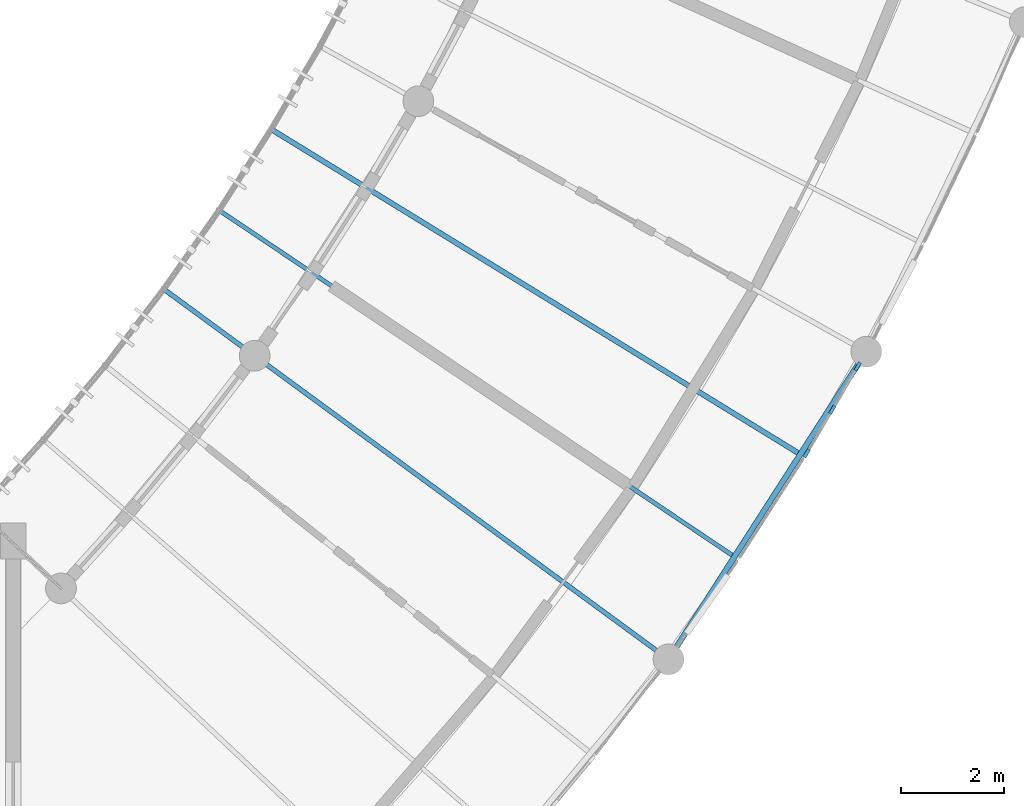
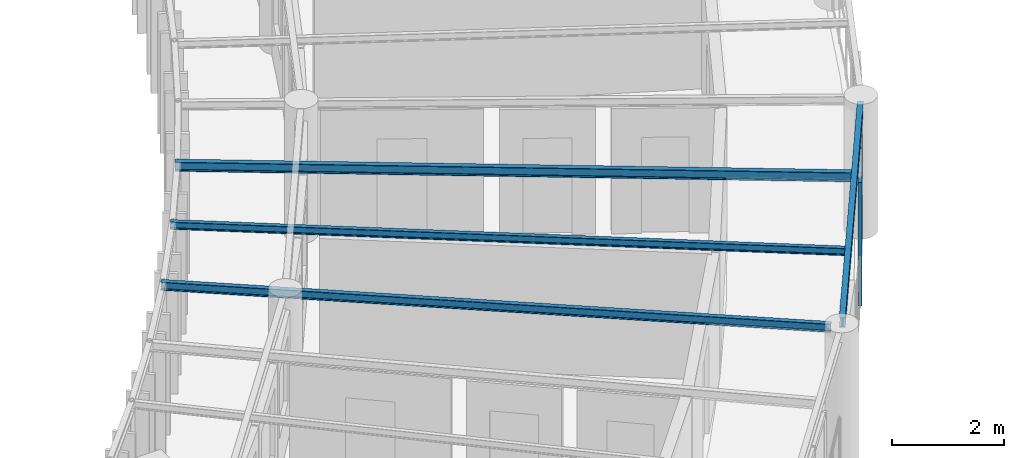
# One storey, part 13 of 101: 4 beams, 3 members, 1 element without a shape of its own.
"""IFC4 building model written with IfcOpenShell, lengths in metres."""

from ifc_helpers import new_model, si_unit, direction, frame, origin, origin_2d, place, context, subcontext, project, spatial, rectangle, i_section, extrude, material, layer, layer_set, material_profile, profile_set, type_object, element, aggregate, save


model = new_model("IFC4")

# Units and contexts
model_context = context("Model", 3, precision=1e-05, world=origin(), true_north=direction((0.0, 1.0)))
body_context = subcontext(model_context, "Body", "Model", "MODEL_VIEW")
ifc_project = project(units=[si_unit("LENGTHUNIT", "METRE"), si_unit("AREAUNIT", "SQUARE_METRE"), si_unit("VOLUMEUNIT", "CUBIC_METRE"), si_unit("PLANEANGLEUNIT", "RADIAN"), si_unit("MASSUNIT", "GRAM", prefix="KILO"), si_unit("POWERUNIT", "WATT"), si_unit("THERMODYNAMICTEMPERATUREUNIT", "KELVIN")], contexts=[model_context])

# Site, building, storey
site_placement = place(None, origin())
site = spatial("IfcSite", under=ifc_project, at=site_placement, CompositionType="ELEMENT")
building_placement = place(site_placement, origin())
building = spatial("IfcBuilding", under=site, at=building_placement, Name="Ruvembo Vaulted Housing Court", CompositionType="ELEMENT")
storey_placement = place(building_placement, frame((0.0, 0.0, 17.300048828125)))
storey = spatial("IfcBuildingStorey", under=building, at=storey_placement, Name="L05", CompositionType="ELEMENT", Elevation=17.300048828125)

# Beams
ifc_material_1 = material(Name="Steel S355J2", Category="steel")
ifc_material_profile_1 = material_profile(ifc_material_1, i_section(OverallWidth=0.08203125, OverallDepth=0.159912109375, WebThickness=0.0048828125, FlangeThickness=0.00732421875, FilletRadius=0.009033203125, at=origin_2d()), Name="IPE 160")
ifc_profile_set_1 = profile_set([ifc_material_profile_1], Name="Steel S355J2")
beam_type_1 = type_object("IfcBeamType", Name="BM-ST-IPE160", PredefinedType="JOIST", material=ifc_profile_set_1)
beam_1_placement = place(storey_placement, frame((50.010986328125, 41.721923828125, 2.85205078125), z_axis=(-0.829875932672, 0.557947969233, 0.0), x_axis=(-0.557947969233, -0.829875932672, 0.0)))
element("IfcBeam", 1, at=beam_1_placement, inside=storey, type_object=beam_type_1, Name="Scoop SC1 L05 Radial Steel Joist 4", PredefinedType="JOIST", context=body_context, shape_type="SweptSolid", body=[
    extrude(i_section(OverallWidth=0.08203125, OverallDepth=0.159912109375, WebThickness=0.0048828125, FlangeThickness=0.00732421875, FilletRadius=0.009033203125, at=origin_2d()), origin(), (0.0, 0.0, 1.0), 12.0927734375),
])
ifc_material_profile_2 = material_profile(ifc_material_1, i_section(OverallWidth=0.091064453125, OverallDepth=0.179931640625, WebThickness=0.00537109375, FlangeThickness=0.008056640625, FilletRadius=0.009033203125, at=origin_2d()), Name="IPE 180")
ifc_profile_set_2 = profile_set([ifc_material_profile_2], Name="Steel S355J2")
beam_type_2 = type_object("IfcBeamType", Name="BM-ST-IPE180", PredefinedType="JOIST", material=ifc_profile_set_2)
beam_2_placement = place(storey_placement, frame((48.614013671875, 39.8076171875, 2.842041015625), z_axis=(-0.806329627064, 0.591466425521, 0.0), x_axis=(-0.591466425521, -0.806329627064, 0.0)))
element("IfcBeam", 2, at=beam_2_placement, inside=storey, type_object=beam_type_2, Name="Scoop SC1 L05 Radial Steel Joist 3", PredefinedType="JOIST", context=body_context, shape_type="SweptSolid", body=[
    extrude(i_section(OverallWidth=0.091064453125, OverallDepth=0.179931640625, WebThickness=0.00537109375, FlangeThickness=0.008056640625, FilletRadius=0.009033203125, at=origin_2d()), origin(), (0.0, 0.0, 1.0), 12.050048828125),
])
ifc_material_profile_3 = material_profile(ifc_material_1, i_section(OverallWidth=0.10009765625, OverallDepth=0.199951171875, WebThickness=0.005615234375, FlangeThickness=0.008544921875, FilletRadius=0.011962890625, at=origin_2d()), Name="IPE 200")
ifc_profile_set_3 = profile_set([ifc_material_profile_3], Name="Steel S355J2")
beam_type_3 = type_object("IfcBeamType", Name="BM-ST-IPE200", PredefinedType="BEAM", material=ifc_profile_set_3)
beam_3_placement = place(storey_placement, frame((51.29296875, 43.716064453125, 2.83203125), z_axis=(-0.852055275677, 0.52345181936, 0.0), x_axis=(-0.52345181936, -0.852055275677, 0.0)))
element("IfcBeam", 3, at=beam_3_placement, inside=storey, type_object=beam_type_3, Name="Scoop SC1 L05 Radial Steel Joist 5", PredefinedType="BEAM", context=body_context, shape_type="SweptSolid", body=[
    extrude(i_section(OverallWidth=0.10009765625, OverallDepth=0.199951171875, WebThickness=0.005615234375, FlangeThickness=0.008544921875, FilletRadius=0.011962890625, at=origin_2d()), origin(), (0.0, 0.0, 1.0), 12.092529296875),
])
ifc_material_profile_4 = material_profile(ifc_material_1, i_section(OverallWidth=0.110107421875, OverallDepth=0.219970703125, WebThickness=0.005859375, FlangeThickness=0.00927734375, FilletRadius=0.011962890625, at=origin_2d()), Name="IPE 220")
ifc_profile_set_4 = profile_set([ifc_material_profile_4], Name="Steel S355J2")
beam_type_4 = type_object("IfcBeamType", Name="BM-ST-IPE220", PredefinedType="SPANDREL", material=ifc_profile_set_4)
beam_4_placement = place(storey_placement, frame((48.8701171875, 39.85498046875, 2.823974609375), z_axis=(0.540792346362, 0.84115613183, 0.0), x_axis=(-0.84115613183, 0.540792346362, 0.0)))
element("IfcBeam", 4, at=beam_4_placement, inside=storey, type_object=beam_type_4, Name="Scoop SC1 L05 Chord Girder B3", PredefinedType="SPANDREL", context=body_context, shape_type="SweptSolid", body=[
    extrude(i_section(OverallWidth=0.110107421875, OverallDepth=0.219970703125, WebThickness=0.005859375, FlangeThickness=0.00927734375, FilletRadius=0.011962890625, at=origin_2d()), origin(), (0.0, 0.0, 1.0), 6.74560546875),
])

# Curtain wall, members
ifc_material_2 = material(Name="Anodised Aluminium and Solar-Control Glass", Category="aluminium")
ifc_layer = layer(ifc_material_2, 0.1201171875, Name="Anodised Aluminium and Solar-Control Glass")
ifc_layer_set = layer_set([ifc_layer], Name="Anodised Aluminium and Solar-Control Glass")
curtain_wall_type = type_object("IfcCurtainWallType", Name="CW-SCOOP-GAL", PredefinedType="NOTDEFINED", material=ifc_layer_set)
curtain_wall_placement = place(storey_placement, origin())
curtain_wall = element("IfcCurtainWall", 5, at=curtain_wall_placement, inside=storey, type_object=curtain_wall_type, Name="L05 Curtain Wall CW-L05-0026", PredefinedType="NOTDEFINED")
ifc_material_3 = material(Name="Anodised Aluminium 6063-T6", Category="aluminium")
ifc_material_profile_5 = material_profile(ifc_material_3, rectangle(XDim=0.06494140625, YDim=0.179931640625, at=origin_2d()), Name="ALU 65x180")
ifc_profile_set_5 = profile_set([ifc_material_profile_5], Name="Anodised Aluminium 6063-T6")
member_type = type_object("IfcMemberType", Name="CW-MUL-65x180", PredefinedType="MULLION", material=ifc_profile_set_5)
member_1_placement = place(storey_placement, frame((51.46044921875, 43.7099609375, 0.0), z_axis=(0.0, 0.0, 1.0), x_axis=(-0.862600705107, 0.505885385784, 0.0)))
member_1 = element("IfcMember", 6, at=member_1_placement, type_object=member_type, Name="CW6 mullion 1", PredefinedType="MULLION", context=body_context, shape_type="SweptSolid", body=[
    extrude(rectangle(XDim=0.06494140625, YDim=0.179931640625, at=origin_2d()), origin(), (0.0, 0.0, 1.0), 2.68994140625),
])
member_2_placement = place(storey_placement, frame((51.95654296875, 44.555908203125, 0.0), z_axis=(0.0, 0.0, 1.0), x_axis=(-0.862600705107, 0.505885385784, 0.0)))
member_2 = element("IfcMember", 7, at=member_2_placement, type_object=member_type, Name="CW6 mullion 2", PredefinedType="MULLION", context=body_context, shape_type="SweptSolid", body=[
    extrude(rectangle(XDim=0.06494140625, YDim=0.179931640625, at=origin_2d()), origin(), (0.0, 0.0, 1.0), 2.68994140625),
])
member_3_placement = place(storey_placement, frame((52.45263671875, 45.40185546875, 0.0), z_axis=(0.0, 0.0, 1.0), x_axis=(-0.862600705107, 0.505885385784, 0.0)))
member_3 = element("IfcMember", 8, at=member_3_placement, type_object=member_type, Name="CW6 mullion 3", PredefinedType="MULLION", context=body_context, shape_type="SweptSolid", body=[
    extrude(rectangle(XDim=0.06494140625, YDim=0.179931640625, at=origin_2d()), origin(), (0.0, 0.0, 1.0), 2.68994140625),
])
aggregate(curtain_wall, [member_1, member_2, member_3])

save(model, "model.ifc")
